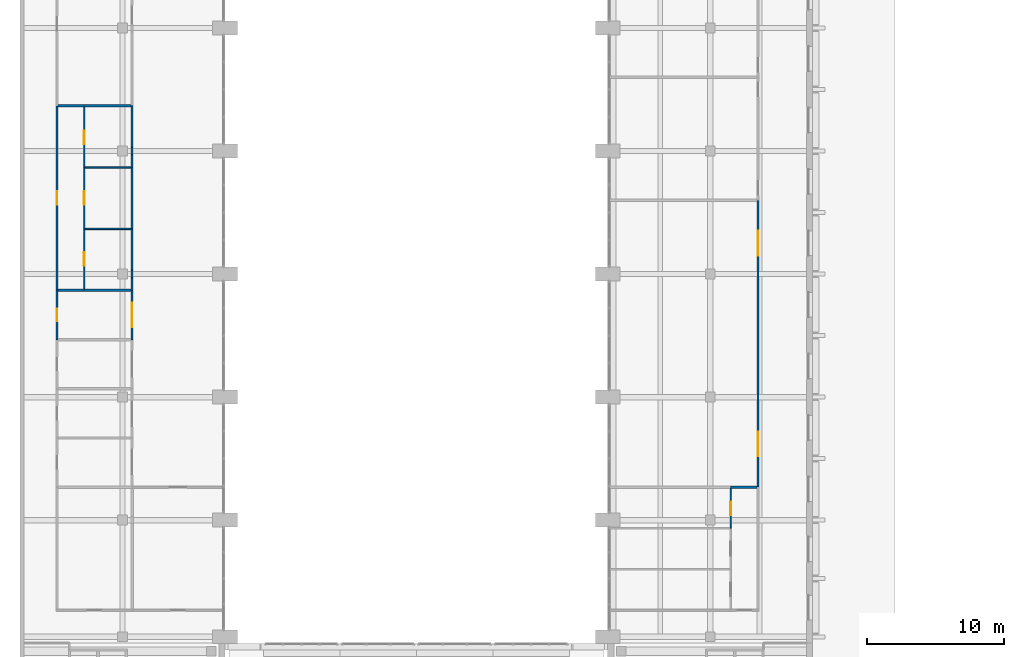
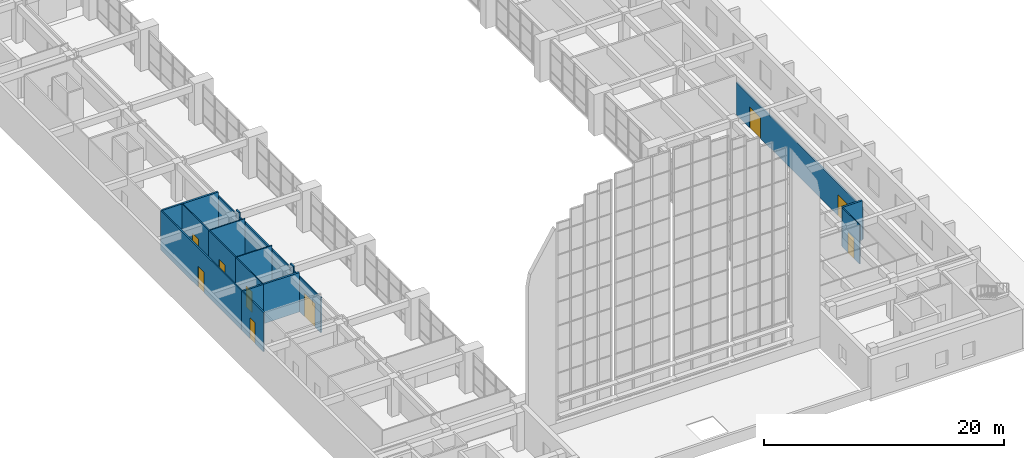
# One storey, part 27 of 45: 22 walls, 9 doors, 9 openings.
"""IFC4 building model written with IfcOpenShell, lengths in metres."""

from ifc_helpers import new_model, si_unit, direction, frame, frame_2d, origin, place, context, subcontext, project, spatial, rectangle, extrude, material, layer, layer_set, type_object, element, fill, save


model = new_model("IFC4")

# Units and contexts
model_context = context("Model", 3, precision=1e-05, world=origin(), true_north=direction((0.0, 1.0)))
body_context = subcontext(model_context, "Body", "Model", "MODEL_VIEW")
ifc_project = project(units=[si_unit("LENGTHUNIT", "METRE"), si_unit("AREAUNIT", "SQUARE_METRE"), si_unit("VOLUMEUNIT", "CUBIC_METRE"), si_unit("PLANEANGLEUNIT", "RADIAN"), si_unit("MASSUNIT", "GRAM", prefix="KILO")], contexts=[model_context])

# Site, building, storey
site_placement = place(None, origin())
site = spatial("IfcSite", under=ifc_project, at=site_placement, CompositionType="ELEMENT")
building_placement = place(site_placement, origin())
building = spatial("IfcBuilding", under=site, at=building_placement, Name="Elmora Arch Market Hall", CompositionType="ELEMENT")
storey_placement = place(building_placement, frame((0.0, 0.0, 6.0)))
storey = spatial("IfcBuildingStorey", under=building, at=storey_placement, Name="L01", CompositionType="ELEMENT", Elevation=6.0)

# Walls
ifc_material_1 = material(Name="Gypsum board on metal studs")
ifc_layer_1 = layer(ifc_material_1, 0.10009765625)
ifc_layer_set_1 = layer_set([ifc_layer_1], Name="Gypsum board on metal studs")
wall_type_1 = type_object("IfcWallType", Name="Partition 100", PredefinedType="PARTITIONING", material=ifc_layer_set_1)
for number, where, z_axis, x_axis, name in (
    (1, (4.75, 57.300048828125, 0.0), (0.0, 0.0, 1.0), (1.0, 0.0, 0.0), "Partition PT-L01-018"),
    (2, (4.75, 61.800048828125, 0.0), (0.0, 0.0, 1.0), (1.0, 0.0, 0.0), "Partition PT-L01-020"),
):
    element("IfcWall", number, at=place(storey_placement, frame(where, z_axis=z_axis, x_axis=x_axis)), inside=storey, type_object=wall_type_1, Name=name, PredefinedType="PARTITIONING", context=body_context, shape_type="SweptSolid", body=[
        extrude(rectangle(XDim=3.387451171875, YDim=0.10009765625, at=frame_2d((1.69384765625, 0.0))), origin(), (0.0, 0.0, 1.0), 4.0),
    ])

# Wall, opening, door
wall_1_placement = place(storey_placement, frame((4.699951171875, 52.887451171875, 0.0), z_axis=(0.0, 0.0, 1.0), x_axis=(0.0, 1.0, 0.0)))
wall_1 = element("IfcWall", 3, at=wall_1_placement, inside=storey, type_object=wall_type_1, Name="Partition PT-L01-091", PredefinedType="PARTITIONING", context=body_context, shape_type="SweptSolid", body=[
    extrude(rectangle(XDim=4.41259765625, YDim=0.10009765625, at=frame_2d((2.206298828125, 0.0))), origin(), (0.0, 0.0, 1.0), 4.0),
])
opening_1_placement = place(wall_1_placement, frame((1.699951171875, 0.0, 0.0)))
opening_1 = element("IfcOpeningElement", 4, at=opening_1_placement, cuts=wall_1, Name="Opening D-L01-021", PredefinedType="OPENING", context=body_context, shape_type="SweptSolid", body=[
    extrude(rectangle(XDim=1.0, YDim=2.10009765625, at=frame_2d((0.5, 1.050048828125))), frame((0.0, 0.06005859375, 0.0), z_axis=(0.0, -1.0, 0.0), x_axis=(1.0, 0.0, 0.0)), (0.0, 0.0, 1.0), 0.1201171875),
])
ifc_material_2 = material(Name="Timber door set", Category="wood")
door_type_1 = type_object("IfcDoorType", Name="Door 1000 x 2100", OperationType="SINGLE_SWING_LEFT", PredefinedType="DOOR", material=ifc_material_2)
door_1_placement = place(opening_1_placement, frame((1.0, 0.0, 0.0), z_axis=(0.0, 0.0, 1.0), x_axis=(-1.0, 0.0, 0.0)))
door_1 = element("IfcDoor", 5, at=door_1_placement, inside=storey, type_object=door_type_1, Name="D-L01-021", OperationType="SINGLE_SWING_LEFT", OverallHeight=2.10009765625, OverallWidth=1.0, PredefinedType="DOOR", context=body_context, shape_type="SweptSolid", body=[
    extrude(rectangle(XDim=1.0, YDim=2.10009765625, at=frame_2d((0.5, 1.050048828125))), frame((0.0, 0.02490234375, 0.0), z_axis=(0.0, -1.0, 0.0), x_axis=(1.0, 0.0, 0.0)), (0.0, 0.0, 1.0), 0.050048828125),
])
fill(opening_1, door_1)

wall_2_placement = place(storey_placement, frame((4.699951171875, 57.300048828125, 0.0), z_axis=(0.0, 0.0, 1.0), x_axis=(0.0, 1.0, 0.0)))
wall_2 = element("IfcWall", 6, at=wall_2_placement, inside=storey, type_object=wall_type_1, Name="Partition PT-L01-092", PredefinedType="PARTITIONING", context=body_context, shape_type="SweptSolid", body=[
    extrude(rectangle(XDim=4.5, YDim=0.10009765625, at=frame_2d((2.25, 0.0))), origin(), (0.0, 0.0, 1.0), 4.0),
])
opening_2_placement = place(wall_2_placement, frame((1.75, 0.0, 0.0)))
opening_2 = element("IfcOpeningElement", 7, at=opening_2_placement, cuts=wall_2, Name="Opening D-L01-024", PredefinedType="OPENING", context=body_context, shape_type="SweptSolid", body=[
    extrude(rectangle(XDim=1.0, YDim=2.10009765625, at=frame_2d((0.5, 1.050048828125))), frame((0.0, 0.06005859375, 0.0), z_axis=(0.0, -1.0, 0.0), x_axis=(1.0, 0.0, 0.0)), (0.0, 0.0, 1.0), 0.1201171875),
])
door_2_placement = place(opening_2_placement, frame((1.0, 0.0, 0.0), z_axis=(0.0, 0.0, 1.0), x_axis=(-1.0, 0.0, 0.0)))
door_2 = element("IfcDoor", 8, at=door_2_placement, inside=storey, type_object=door_type_1, Name="D-L01-024", OperationType="SINGLE_SWING_RIGHT", OverallHeight=2.10009765625, OverallWidth=1.0, PredefinedType="DOOR", context=body_context, shape_type="SweptSolid", body=[
    extrude(rectangle(XDim=1.0, YDim=2.10009765625, at=frame_2d((0.5, 1.050048828125))), frame((0.0, 0.02490234375, 0.0), z_axis=(0.0, -1.0, 0.0), x_axis=(1.0, 0.0, 0.0)), (0.0, 0.0, 1.0), 0.050048828125),
])
fill(opening_2, door_2)

wall_3_placement = place(storey_placement, frame((4.699951171875, 61.800048828125, 0.0), z_axis=(0.0, 0.0, 1.0), x_axis=(0.0, 1.0, 0.0)))
wall_3 = element("IfcWall", 9, at=wall_3_placement, inside=storey, type_object=wall_type_1, Name="Partition PT-L01-093", PredefinedType="PARTITIONING", context=body_context, shape_type="SweptSolid", body=[
    extrude(rectangle(XDim=4.412353515625, YDim=0.10009765625, at=frame_2d((2.2060546875, 0.0))), origin(), (0.0, 0.0, 1.0), 4.0),
])
opening_3_placement = place(wall_3_placement, frame((1.699951171875, 0.0, 0.0)))
opening_3 = element("IfcOpeningElement", 10, at=opening_3_placement, cuts=wall_3, Name="Opening D-L01-026", PredefinedType="OPENING", context=body_context, shape_type="SweptSolid", body=[
    extrude(rectangle(XDim=1.0, YDim=2.10009765625, at=frame_2d((0.5, 1.050048828125))), frame((0.0, 0.06005859375, 0.0), z_axis=(0.0, -1.0, 0.0), x_axis=(1.0, 0.0, 0.0)), (0.0, 0.0, 1.0), 0.1201171875),
])
door_3_placement = place(opening_3_placement, frame((1.0, 0.0, 0.0), z_axis=(0.0, 0.0, 1.0), x_axis=(-1.0, 0.0, 0.0)))
door_3 = element("IfcDoor", 11, at=door_3_placement, inside=storey, type_object=door_type_1, Name="D-L01-026", OperationType="SINGLE_SWING_RIGHT", OverallHeight=2.10009765625, OverallWidth=1.0, PredefinedType="DOOR", context=body_context, shape_type="SweptSolid", body=[
    extrude(rectangle(XDim=1.0, YDim=2.10009765625, at=frame_2d((0.5, 1.050048828125))), frame((0.0, 0.02490234375, 0.0), z_axis=(0.0, -1.0, 0.0), x_axis=(1.0, 0.0, 0.0)), (0.0, 0.0, 1.0), 0.050048828125),
])
fill(opening_3, door_3)

wall_4_placement = place(storey_placement, frame((52.0, 35.39990234375, 0.0), z_axis=(0.0, 0.0, 1.0), x_axis=(0.0, 1.0, 0.0)))
wall_4 = element("IfcWall", 12, at=wall_4_placement, inside=storey, type_object=wall_type_1, Name="Partition PT-L01-130", PredefinedType="PARTITIONING", context=body_context, shape_type="SweptSolid", body=[
    extrude(rectangle(XDim=2.91259765625, YDim=0.10009765625, at=frame_2d((1.456298828125, 0.0))), origin(), (0.0, 0.0, 1.0), 4.0),
])
opening_4_placement = place(wall_4_placement, frame((0.949951171875, 0.0, 0.0)))
opening_4 = element("IfcOpeningElement", 13, at=opening_4_placement, cuts=wall_4, Name="Opening D-L01-010", PredefinedType="OPENING", context=body_context, shape_type="SweptSolid", body=[
    extrude(rectangle(XDim=1.0, YDim=2.10009765625, at=frame_2d((0.5, 1.050048828125))), frame((0.0, 0.06005859375, 0.0), z_axis=(0.0, -1.0, 0.0), x_axis=(1.0, 0.0, 0.0)), (0.0, 0.0, 1.0), 0.1201171875),
])
door_4_placement = place(opening_4_placement, origin())
door_4 = element("IfcDoor", 14, at=door_4_placement, inside=storey, type_object=door_type_1, Name="D-L01-010", OperationType="SINGLE_SWING_LEFT", OverallHeight=2.10009765625, OverallWidth=1.0, PredefinedType="DOOR", context=body_context, shape_type="SweptSolid", body=[
    extrude(rectangle(XDim=1.0, YDim=2.10009765625, at=frame_2d((0.5, 1.050048828125))), frame((0.0, 0.02490234375, 0.0), z_axis=(0.0, -1.0, 0.0), x_axis=(1.0, 0.0, 0.0)), (0.0, 0.0, 1.0), 0.050048828125),
])
fill(opening_4, door_4)

ifc_material_3 = material(Name="Gypsum board on metal studs")
ifc_layer_2 = layer(ifc_material_3, 0.125)
ifc_layer_set_2 = layer_set([ifc_layer_2], Name="Gypsum board on metal studs")
wall_type_2 = type_object("IfcWallType", Name="Partition 125 EI 60", PredefinedType="PARTITIONING", material=ifc_layer_set_2)
wall_5_placement = place(storey_placement, frame((2.699951171875, 49.199951171875, 0.0), z_axis=(0.0, 0.0, 1.0), x_axis=(0.0, 1.0, 0.0)))
wall_5 = element("IfcWall", 15, at=wall_5_placement, inside=storey, type_object=wall_type_2, Name="Partition PT-L01-085", PredefinedType="PARTITIONING", context=body_context, shape_type="SweptSolid", body=[
    extrude(rectangle(XDim=3.60009765625, YDim=0.125, at=frame_2d((1.800048828125, 0.0))), origin(), (0.0, 0.0, 1.0), 4.0),
])
opening_5_placement = place(wall_5_placement, frame((1.35009765625, 0.0, 0.0)))
opening_5 = element("IfcOpeningElement", 16, at=opening_5_placement, cuts=wall_5, Name="Opening D-L01-019", PredefinedType="OPENING", context=body_context, shape_type="SweptSolid", body=[
    extrude(rectangle(XDim=0.89990234375, YDim=2.10009765625, at=frame_2d((0.449951171875, 1.050048828125))), frame((0.0, 0.072509765625, 0.0), z_axis=(0.0, -1.0, 0.0), x_axis=(1.0, 0.0, 0.0)), (0.0, 0.0, 1.0), 0.14501953125),
])
ifc_material_4 = material(Name="Steel ASTM A653 galvanised", Category="steel")
door_type_2 = type_object("IfcDoorType", Name="Door 900 x 2100 FD45", OperationType="SINGLE_SWING_LEFT", PredefinedType="DOOR", material=ifc_material_4)
door_5_placement = place(opening_5_placement, frame((0.89990234375, 0.0, 0.0), z_axis=(0.0, 0.0, 1.0), x_axis=(-1.0, 0.0, 0.0)))
door_5 = element("IfcDoor", 17, at=door_5_placement, inside=storey, type_object=door_type_2, Name="D-L01-019", OperationType="SINGLE_SWING_RIGHT", OverallHeight=2.10009765625, OverallWidth=0.89990234375, PredefinedType="DOOR", context=body_context, shape_type="SweptSolid", body=[
    extrude(rectangle(XDim=0.89990234375, YDim=2.10009765625, at=frame_2d((0.449951171875, 1.050048828125))), frame((0.0, 0.02490234375, 0.0), z_axis=(0.0, -1.0, 0.0), x_axis=(1.0, 0.0, 0.0)), (0.0, 0.0, 1.0), 0.050048828125),
])
fill(opening_5, door_5)

wall_6_placement = place(storey_placement, frame((2.699951171875, 52.800048828125, 0.0), z_axis=(0.0, 0.0, 1.0), x_axis=(0.0, 1.0, 0.0)))
wall_6 = element("IfcWall", 18, at=wall_6_placement, inside=storey, type_object=wall_type_2, Name="Partition PT-L01-086", PredefinedType="PARTITIONING", context=body_context, shape_type="SweptSolid", body=[
    extrude(rectangle(XDim=13.5, YDim=0.125, at=frame_2d((6.75, 0.0))), origin(), (0.0, 0.0, 1.0), 4.0),
])
opening_6_placement = place(wall_6_placement, frame((6.25, 0.0, 0.0)))
opening_6 = element("IfcOpeningElement", 19, at=opening_6_placement, cuts=wall_6, Name="Opening D-L01-023", PredefinedType="OPENING", context=body_context, shape_type="SweptSolid", body=[
    extrude(rectangle(XDim=1.0, YDim=2.10009765625, at=frame_2d((0.5, 1.050048828125))), frame((0.0, 0.072509765625, 0.0), z_axis=(0.0, -1.0, 0.0), x_axis=(1.0, 0.0, 0.0)), (0.0, 0.0, 1.0), 0.14501953125),
])
ifc_material_5 = material(Name="Steel ASTM A653 galvanised", Category="steel")
door_type_3 = type_object("IfcDoorType", Name="Door 1000 x 2100 FD20", OperationType="SINGLE_SWING_LEFT", PredefinedType="DOOR", material=ifc_material_5)
door_6_placement = place(opening_6_placement, frame((1.0, 0.0, 0.0), z_axis=(0.0, 0.0, 1.0), x_axis=(-1.0, 0.0, 0.0)))
door_6 = element("IfcDoor", 20, at=door_6_placement, inside=storey, type_object=door_type_3, Name="D-L01-023", OperationType="SINGLE_SWING_RIGHT", OverallHeight=2.10009765625, OverallWidth=1.0, PredefinedType="DOOR", context=body_context, shape_type="SweptSolid", body=[
    extrude(rectangle(XDim=1.0, YDim=2.10009765625, at=frame_2d((0.5, 1.050048828125))), frame((0.0, 0.02490234375, 0.0), z_axis=(0.0, -1.0, 0.0), x_axis=(1.0, 0.0, 0.0)), (0.0, 0.0, 1.0), 0.050048828125),
])
fill(opening_6, door_6)

wall_7_placement = place(storey_placement, frame((8.199951171875, 49.199951171875, 0.0), z_axis=(0.0, 0.0, 1.0), x_axis=(0.0, 1.0, 0.0)))
wall_7 = element("IfcWall", 21, at=wall_7_placement, inside=storey, type_object=wall_type_2, Name="Partition PT-L01-098", PredefinedType="PARTITIONING", context=body_context, shape_type="SweptSolid", body=[
    extrude(rectangle(XDim=3.60009765625, YDim=0.125, at=frame_2d((1.800048828125, 0.0))), origin(), (0.0, 0.0, 1.0), 3.567138671875),
])
opening_7_placement = place(wall_7_placement, frame((0.89990234375, 0.0, 0.0)))
opening_7 = element("IfcOpeningElement", 22, at=opening_7_placement, cuts=wall_7, Name="Opening D-L01-020", PredefinedType="OPENING", context=body_context, shape_type="SweptSolid", body=[
    extrude(rectangle(XDim=1.800048828125, YDim=2.39990234375, at=frame_2d((0.89990234375, 1.199951171875))), frame((0.0, 0.072509765625, 0.0), z_axis=(0.0, -1.0, 0.0), x_axis=(1.0, 0.0, 0.0)), (0.0, 0.0, 1.0), 0.14501953125),
])
ifc_material_6 = material(Name="Aluminium roller shutter", Category="aluminium")
door_type_4 = type_object("IfcDoorType", Name="Roller shutter 1800 x 2400", OperationType="ROLLINGUP", PredefinedType="DOOR", material=ifc_material_6)
door_7_placement = place(opening_7_placement, origin())
door_7 = element("IfcDoor", 23, at=door_7_placement, inside=storey, type_object=door_type_4, Name="D-L01-020", OperationType="ROLLINGUP", OverallHeight=2.39990234375, OverallWidth=1.800048828125, PredefinedType="DOOR", context=body_context, shape_type="SweptSolid", body=[
    extrude(rectangle(XDim=1.800048828125, YDim=2.39990234375, at=frame_2d((0.89990234375, 1.199951171875))), frame((0.0, 0.02490234375, 0.0), z_axis=(0.0, -1.0, 0.0), x_axis=(1.0, 0.0, 0.0)), (0.0, 0.0, 1.0), 0.050048828125),
])
fill(opening_7, door_7)

# Walls
wall_8_placement = place(storey_placement, frame((8.199951171875, 52.800048828125, 0.0), z_axis=(0.0, 0.0, 1.0), x_axis=(0.0, 1.0, 0.0)))
element("IfcWall", 24, at=wall_8_placement, inside=storey, type_object=wall_type_2, Name="Partition PT-L01-099", PredefinedType="PARTITIONING", context=body_context, shape_type="SweptSolid", body=[
    extrude(rectangle(XDim=0.936767578125, YDim=0.125, at=frame_2d((0.46826171875, 0.0))), origin(), (0.0, 0.0, 1.0), 3.567138671875),
])
wall_9_placement = place(storey_placement, frame((8.199951171875, 57.300048828125, 0.0), z_axis=(0.0, 0.0, 1.0), x_axis=(0.0, 1.0, 0.0)))
element("IfcWall", 25, at=wall_9_placement, inside=storey, type_object=wall_type_2, Name="Partition PT-L01-100", PredefinedType="PARTITIONING", context=body_context, shape_type="SweptSolid", body=[
    extrude(rectangle(XDim=4.5, YDim=0.125, at=frame_2d((2.25, 0.0))), origin(), (0.0, 0.0, 1.0), 3.567138671875),
])
wall_10_placement = place(storey_placement, frame((8.199951171875, 61.800048828125, 0.0), z_axis=(0.0, 0.0, 1.0), x_axis=(0.0, 1.0, 0.0)))
element("IfcWall", 26, at=wall_10_placement, inside=storey, type_object=wall_type_2, Name="Partition PT-L01-101", PredefinedType="PARTITIONING", context=body_context, shape_type="SweptSolid", body=[
    extrude(rectangle(XDim=0.936767578125, YDim=0.125, at=frame_2d((0.46826171875, 0.0))), origin(), (0.0, 0.0, 1.0), 3.567138671875),
])

# Wall, openings, doors
wall_11_placement = place(storey_placement, frame((54.0, 38.39990234375, 0.0), z_axis=(0.0, 0.0, 1.0), x_axis=(0.0, 1.0, 0.0)))
wall_11 = element("IfcWall", 27, at=wall_11_placement, inside=storey, type_object=wall_type_2, Name="Partition PT-L01-132", PredefinedType="PARTITIONING", context=body_context, shape_type="SweptSolid", body=[
    extrude(rectangle(XDim=21.0, YDim=0.125, at=frame_2d((10.5, 0.0))), origin(), (0.0, 0.0, 1.0), 3.25),
])
opening_8_placement = place(wall_11_placement, frame((2.25, 0.0, 0.0)))
opening_8 = element("IfcOpeningElement", 28, at=opening_8_placement, cuts=wall_11, Name="Opening D-L01-014", PredefinedType="OPENING", context=body_context, shape_type="SweptSolid", body=[
    extrude(rectangle(XDim=1.800048828125, YDim=2.10009765625, at=frame_2d((0.89990234375, 1.050048828125))), frame((0.0, 0.072509765625, 0.0), z_axis=(0.0, -1.0, 0.0), x_axis=(1.0, 0.0, 0.0)), (0.0, 0.0, 1.0), 0.14501953125),
])
opening_9_placement = place(wall_11_placement, frame((16.949951171875, 0.0, 0.0)))
opening_9 = element("IfcOpeningElement", 29, at=opening_9_placement, cuts=wall_11, Name="Opening D-L01-022", PredefinedType="OPENING", context=body_context, shape_type="SweptSolid", body=[
    extrude(rectangle(XDim=1.800048828125, YDim=2.10009765625, at=frame_2d((0.89990234375, 1.050048828125))), frame((0.0, 0.072509765625, 0.0), z_axis=(0.0, -1.0, 0.0), x_axis=(1.0, 0.0, 0.0)), (0.0, 0.0, 1.0), 0.14501953125),
])
ifc_material_7 = material(Name="Steel ASTM A653 galvanised", Category="steel")
door_type_5 = type_object("IfcDoorType", Name="Double door 1800 x 2100 FD20", OperationType="DOUBLE_DOOR_SINGLE_SWING", PredefinedType="DOOR", material=ifc_material_7)
door_8_placement = place(opening_8_placement, origin())
door_8 = element("IfcDoor", 30, at=door_8_placement, inside=storey, type_object=door_type_5, Name="D-L01-014", OperationType="DOUBLE_DOOR_SINGLE_SWING", OverallHeight=2.10009765625, OverallWidth=1.800048828125, PredefinedType="DOOR", context=body_context, shape_type="SweptSolid", body=[
    extrude(rectangle(XDim=1.800048828125, YDim=2.10009765625, at=frame_2d((0.89990234375, 1.050048828125))), frame((0.0, 0.02490234375, 0.0), z_axis=(0.0, -1.0, 0.0), x_axis=(1.0, 0.0, 0.0)), (0.0, 0.0, 1.0), 0.050048828125),
])
fill(opening_8, door_8)
door_9_placement = place(opening_9_placement, origin())
door_9 = element("IfcDoor", 31, at=door_9_placement, inside=storey, type_object=door_type_5, Name="D-L01-022", OperationType="DOUBLE_DOOR_SINGLE_SWING", OverallHeight=2.10009765625, OverallWidth=1.800048828125, PredefinedType="DOOR", context=body_context, shape_type="SweptSolid", body=[
    extrude(rectangle(XDim=1.800048828125, YDim=2.10009765625, at=frame_2d((0.89990234375, 1.050048828125))), frame((0.0, 0.02490234375, 0.0), z_axis=(0.0, -1.0, 0.0), x_axis=(1.0, 0.0, 0.0)), (0.0, 0.0, 1.0), 0.050048828125),
])
fill(opening_9, door_9)

# Walls
wall_12_placement = place(storey_placement, frame((8.199951171875, 53.73681640625, 0.0), z_axis=(0.0, 0.0, 1.0), x_axis=(0.0, 1.0, 0.0)))
element("IfcWall", 32, at=wall_12_placement, inside=storey, type_object=wall_type_2, Name="Partition PT-L01-099.2", PredefinedType="PARTITIONING", context=body_context, shape_type="SweptSolid", body=[
    extrude(rectangle(XDim=0.5263671875, YDim=0.125, at=frame_2d((0.26318359375, 0.0))), origin(), (0.0, 0.0, 1.0), 4.0),
])
wall_13_placement = place(storey_placement, frame((8.199951171875, 54.26318359375, 0.0), z_axis=(0.0, 0.0, 1.0), x_axis=(0.0, 1.0, 0.0)))
element("IfcWall", 33, at=wall_13_placement, inside=storey, type_object=wall_type_2, Name="Partition PT-L01-099.3", PredefinedType="PARTITIONING", context=body_context, shape_type="SweptSolid", body=[
    extrude(rectangle(XDim=3.036865234375, YDim=0.125, at=frame_2d((1.5185546875, 0.0))), origin(), (0.0, 0.0, 1.0), 3.567138671875),
])
wall_14_placement = place(storey_placement, frame((8.199951171875, 62.73681640625, 0.0), z_axis=(0.0, 0.0, 1.0), x_axis=(0.0, 1.0, 0.0)))
element("IfcWall", 34, at=wall_14_placement, inside=storey, type_object=wall_type_2, Name="Partition PT-L01-101.2", PredefinedType="PARTITIONING", context=body_context, shape_type="SweptSolid", body=[
    extrude(rectangle(XDim=0.5263671875, YDim=0.125, at=frame_2d((0.26318359375, 0.0))), origin(), (0.0, 0.0, 1.0), 4.0),
])
wall_15_placement = place(storey_placement, frame((8.199951171875, 63.26318359375, 0.0), z_axis=(0.0, 0.0, 1.0), x_axis=(0.0, 1.0, 0.0)))
element("IfcWall", 35, at=wall_15_placement, inside=storey, type_object=wall_type_2, Name="Partition PT-L01-101.3", PredefinedType="PARTITIONING", context=body_context, shape_type="SweptSolid", body=[
    extrude(rectangle(XDim=3.036865234375, YDim=0.125, at=frame_2d((1.5185546875, 0.0))), origin(), (0.0, 0.0, 1.0), 3.567138671875),
])
ifc_material_8 = material(Name="Gypsum board on metal studs")
ifc_layer_3 = layer(ifc_material_8, 0.175048828125)
ifc_layer_set_3 = layer_set([ifc_layer_3], Name="Gypsum board on metal studs")
wall_type_3 = type_object("IfcWallType", Name="Partition 175 EI 60", PredefinedType="PARTITIONING", material=ifc_layer_set_3)
for number, where, z_axis, x_axis, name in (
    (36, (52.0, 38.39990234375, 0.0), (0.0, 0.0, 1.0), (1.0, 0.0, 0.0), "Partition PT-L01-012"),
    (37, (2.762451171875, 52.800048828125, 0.0), (0.0, 0.0, 1.0), (1.0, 0.0, 0.0), "Partition PT-L01-016"),
):
    element("IfcWall", number, at=place(storey_placement, frame(where, z_axis=z_axis, x_axis=x_axis)), inside=storey, type_object=wall_type_3, Name=name, PredefinedType="PARTITIONING", context=body_context, shape_type="SweptSolid", body=[
        extrude(rectangle(XDim=1.9375, YDim=0.175048828125, at=frame_2d((0.96875, 0.0))), origin(), (0.0, 0.0, 1.0), 4.0),
    ])
wall_16_placement = place(storey_placement, frame((4.699951171875, 52.800048828125, 0.0), z_axis=(0.0, 0.0, 1.0), x_axis=(1.0, 0.0, 0.0)))
element("IfcWall", 38, at=wall_16_placement, inside=storey, type_object=wall_type_3, Name="Partition PT-L01-017", PredefinedType="PARTITIONING", context=body_context, shape_type="SweptSolid", body=[
    extrude(rectangle(XDim=3.4375, YDim=0.175048828125, at=frame_2d((1.71875, 0.0))), origin(), (0.0, 0.0, 1.0), 4.0),
])
wall_17_placement = place(storey_placement, frame((2.762451171875, 66.300048828125, 0.0), z_axis=(0.0, 0.0, 1.0), x_axis=(1.0, 0.0, 0.0)))
element("IfcWall", 39, at=wall_17_placement, inside=storey, type_object=wall_type_3, Name="Partition PT-L01-021", PredefinedType="PARTITIONING", context=body_context, shape_type="SweptSolid", body=[
    extrude(rectangle(XDim=1.9375, YDim=0.175048828125, at=frame_2d((0.96875, 0.0))), origin(), (0.0, 0.0, 1.0), 4.0),
])
wall_18_placement = place(storey_placement, frame((4.699951171875, 66.300048828125, 0.0), z_axis=(0.0, 0.0, 1.0), x_axis=(1.0, 0.0, 0.0)))
element("IfcWall", 40, at=wall_18_placement, inside=storey, type_object=wall_type_3, Name="Partition PT-L01-022", PredefinedType="PARTITIONING", context=body_context, shape_type="SweptSolid", body=[
    extrude(rectangle(XDim=3.4375, YDim=0.175048828125, at=frame_2d((1.71875, 0.0))), origin(), (0.0, 0.0, 1.0), 4.0),
])

save(model, "model.ifc")
